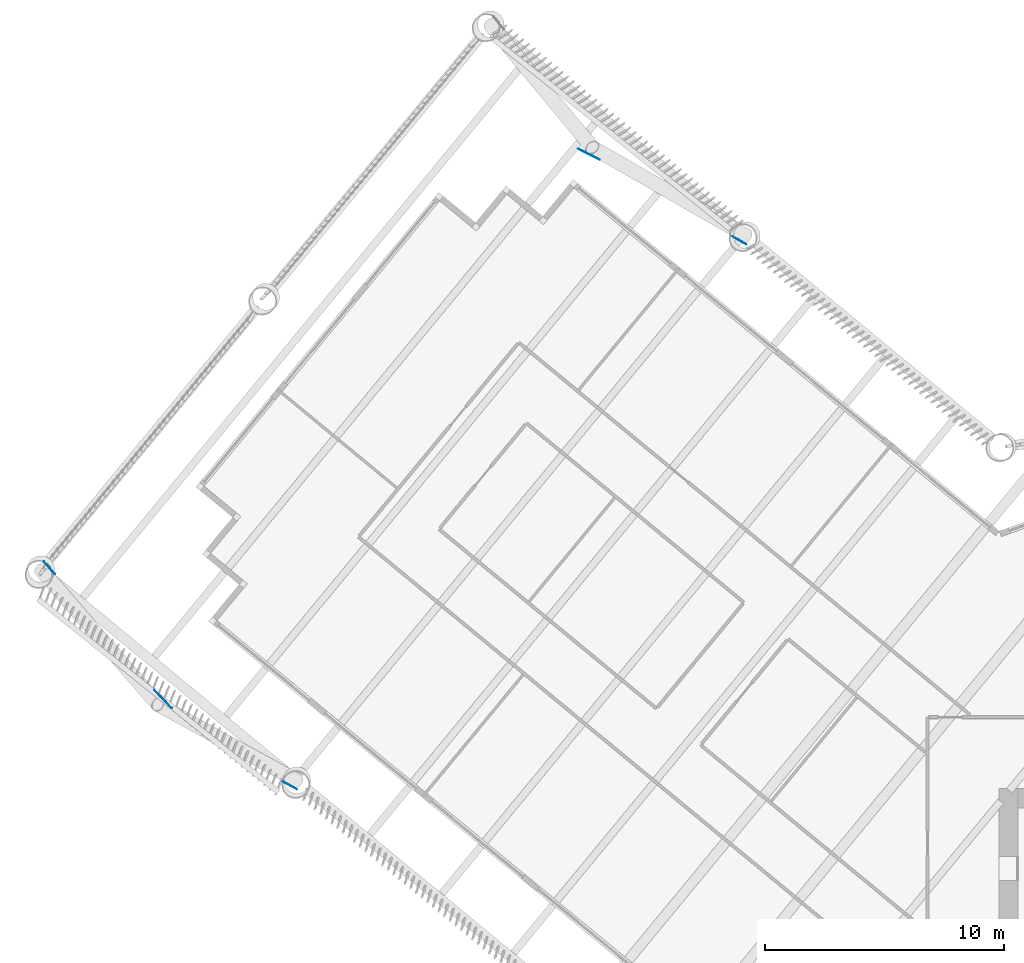
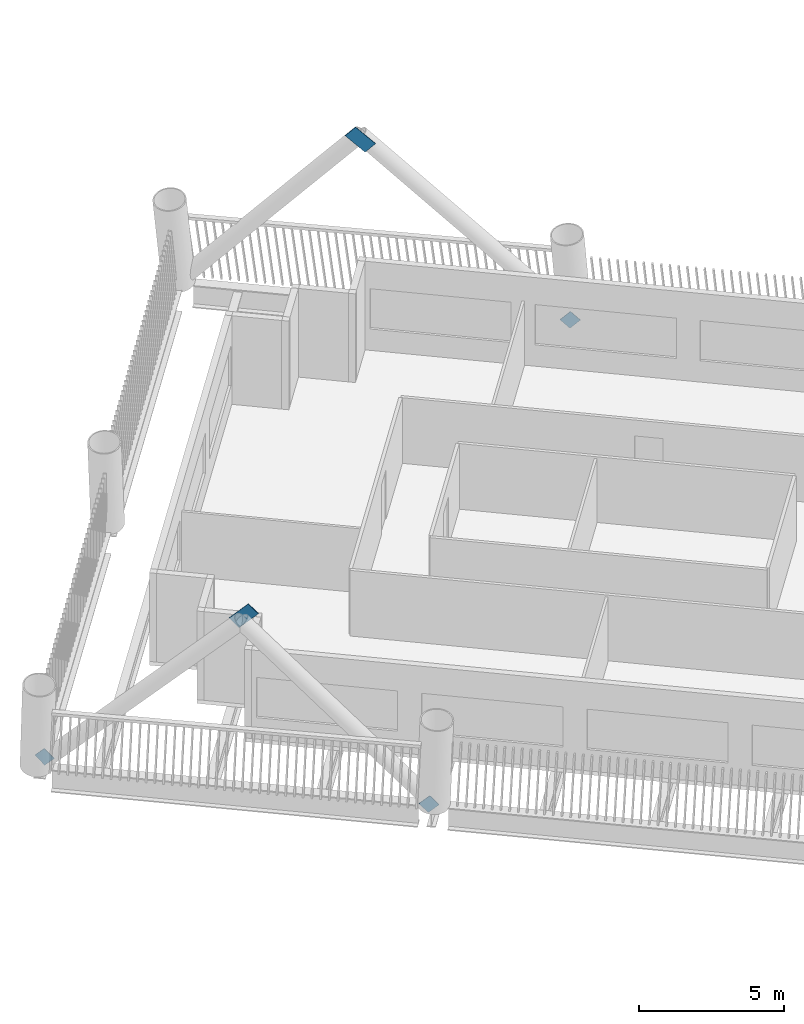
# One storey, part 11 of 22: 5 discrete accessories.
"""IFC4 building model written with IfcOpenShell, lengths in metres."""

from ifc_helpers import new_model, si_unit, direction, frame, origin, origin_2d, place, context, subcontext, project, spatial, rectangle, extrude, material, material_profile, profile_set, type_object, element, save


model = new_model("IFC4")

# Units and contexts
model_context = context("Model", 3, precision=1e-05, world=origin(), true_north=direction((0.0, 1.0)))
body_context = subcontext(model_context, "Body", "Model", "MODEL_VIEW")
ifc_project = project(units=[si_unit("LENGTHUNIT", "METRE"), si_unit("AREAUNIT", "SQUARE_METRE"), si_unit("VOLUMEUNIT", "CUBIC_METRE"), si_unit("PLANEANGLEUNIT", "RADIAN"), si_unit("MASSUNIT", "GRAM", prefix="KILO")], contexts=[model_context])

# Site, building, storey
site_placement = place(None, origin())
site = spatial("IfcSite", under=ifc_project, at=site_placement, CompositionType="ELEMENT")
building_placement = place(site_placement, origin())
building = spatial("IfcBuilding", under=site, at=building_placement, Name="Tarsis Ring Headquarters", CompositionType="ELEMENT")
storey_placement = place(building_placement, frame((0.0, 0.0, 108.39990234375)))
storey = spatial("IfcBuildingStorey", under=building, at=storey_placement, Name="L24", CompositionType="ELEMENT", Elevation=108.39990234375)

# Discrete accessories
ifc_material = material(Name="Structural steel S355", Category="steel")
ifc_material_profile = material_profile(ifc_material, rectangle(XDim=0.02490234375, YDim=0.5, at=origin_2d()), Name="PL 25x500")
ifc_profile_set = profile_set([ifc_material_profile], Name="Structural steel S355")
discrete_accessory_type = type_object("IfcDiscreteAccessoryType", Name="Gusset plate Exo brace 25", PredefinedType="BRACKET", material=ifc_profile_set)
discrete_accessory_1_placement = place(storey_placement, frame((-20.74560546875, 35.89404296875, 0.0), z_axis=(-0.59899557544, 0.343189804021, 0.723481208477), x_axis=(-0.497128630166, -0.867676855211, 0.0)))
element("IfcDiscreteAccessory", 1, at=discrete_accessory_1_placement, inside=storey, type_object=discrete_accessory_type, Name="Gusset plate GP5", PredefinedType="BRACKET", context=body_context, shape_type="SweptSolid", body=[
    extrude(rectangle(XDim=0.02490234375, YDim=0.5, at=origin_2d()), origin(), (0.0, 0.0, 1.0), 0.5),
])
discrete_accessory_2_placement = place(storey_placement, frame((-26.8798828125, 39.431884765625, 7.439208984375), z_axis=(-0.617462648472, 0.312271541082, 0.721960083642), x_axis=(-0.451302035133, -0.892371264152, 0.0)))
element("IfcDiscreteAccessory", 2, at=discrete_accessory_2_placement, inside=storey, type_object=discrete_accessory_type, Name="Gusset plate GP5", PredefinedType="BRACKET", context=body_context, shape_type="SweptSolid", body=[
    extrude(rectangle(XDim=0.02490234375, YDim=0.5, at=origin_2d()), origin(), (0.0, 0.0, 1.0), 1.0),
])
discrete_accessory_3_placement = place(storey_placement, frame((-49.908203125, 22.39013671875, 0.0), z_axis=(0.453051447155, -0.522864331792, 0.722050743903), x_axis=(0.755758927815, 0.65484993932, 0.0)))
element("IfcDiscreteAccessory", 3, at=discrete_accessory_3_placement, inside=storey, type_object=discrete_accessory_type, Name="Gusset plate GP5", PredefinedType="BRACKET", context=body_context, shape_type="SweptSolid", body=[
    extrude(rectangle(XDim=0.02490234375, YDim=0.5, at=origin_2d()), origin(), (0.0, 0.0, 1.0), 0.5),
])
discrete_accessory_4_placement = place(storey_placement, frame((-45.263427734375, 17.001953125, 7.4384765625), z_axis=(0.478801962131, -0.497358284988, 0.723452429268), x_axis=(0.720418377011, 0.693539733588, 0.0)))
element("IfcDiscreteAccessory", 4, at=discrete_accessory_4_placement, inside=storey, type_object=discrete_accessory_type, Name="Gusset plate GP5", PredefinedType="BRACKET", context=body_context, shape_type="SweptSolid", body=[
    extrude(rectangle(XDim=0.02490234375, YDim=0.5, at=origin_2d()), origin(), (0.0, 0.0, 1.0), 1.0),
])
discrete_accessory_5_placement = place(storey_placement, frame((-39.576416015625, 13.0576171875, 0.0), z_axis=(-0.568730852289, 0.311947652028, 0.76107416199), x_axis=(-0.480907266742, -0.876771464405, 0.0)))
element("IfcDiscreteAccessory", 5, at=discrete_accessory_5_placement, inside=storey, type_object=discrete_accessory_type, Name="Gusset plate GP5", PredefinedType="BRACKET", context=body_context, shape_type="SweptSolid", body=[
    extrude(rectangle(XDim=0.02490234375, YDim=0.5, at=origin_2d()), origin(), (0.0, 0.0, 1.0), 0.5),
])

save(model, "model.ifc")
